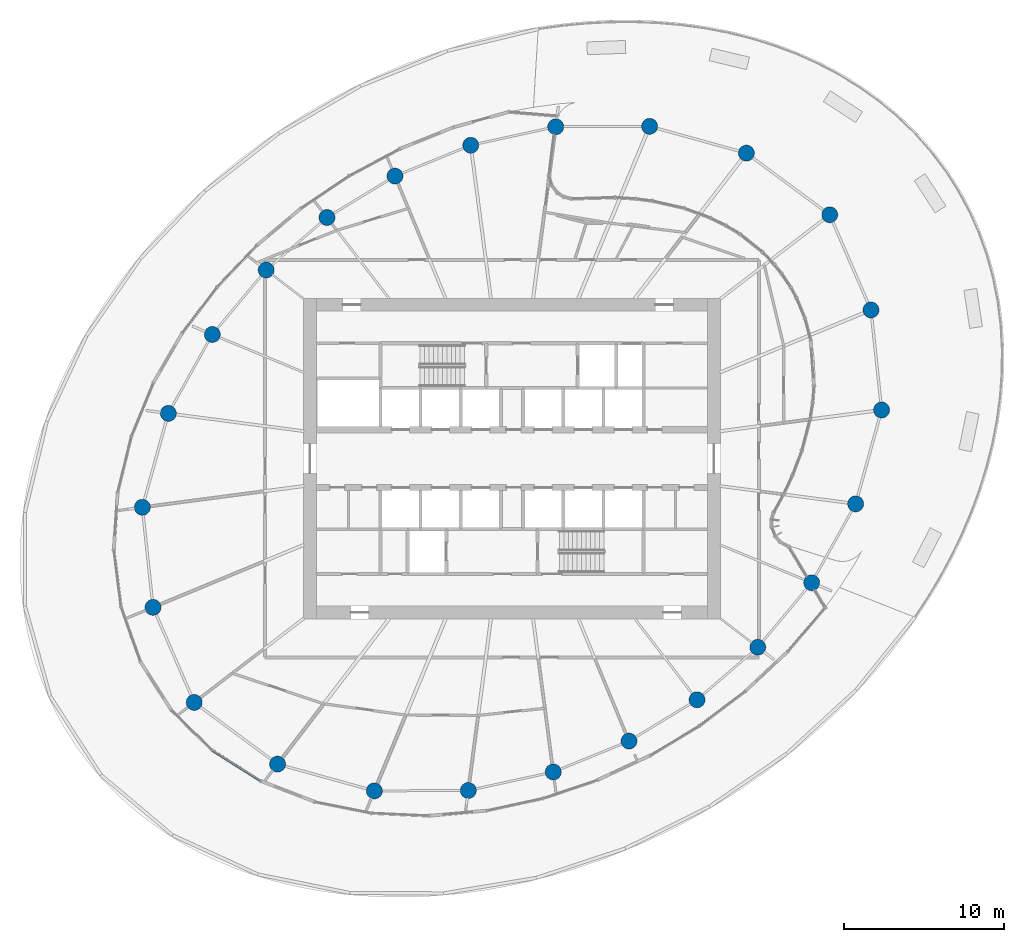
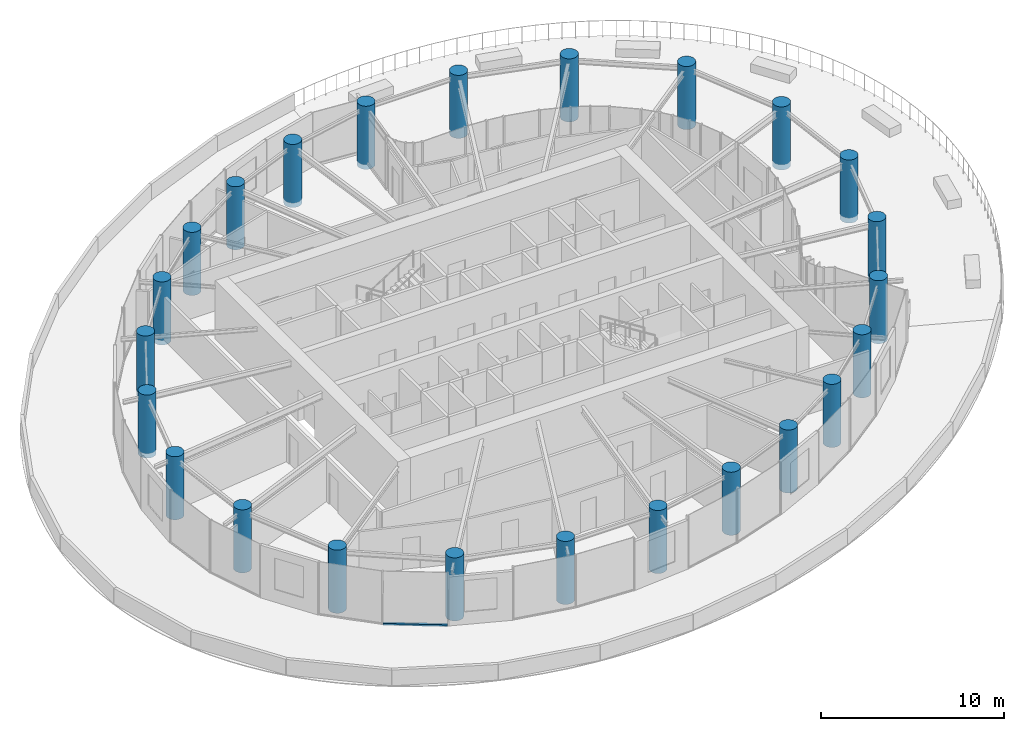
# One storey, part 1 of 21: 24 columns, 1 member, 1 element without a shape of its own.
"""IFC4 building model written with IfcOpenShell, lengths in metres."""

from ifc_helpers import new_model, si_unit, direction, frame, origin, origin_2d, place, context, subcontext, project, spatial, rectangle, circle, extrude, source, transform, mapped, material, layer, layer_set, material_profile, profile_set, type_object, element, aggregate, save


model = new_model("IFC4")

# Units and contexts
model_context = context("Model", 3, precision=1e-05, world=origin(), true_north=direction((0.0, 1.0)))
body_context = subcontext(model_context, "Body", "Model", "MODEL_VIEW")
ifc_project = project(units=[si_unit("LENGTHUNIT", "METRE"), si_unit("AREAUNIT", "SQUARE_METRE"), si_unit("VOLUMEUNIT", "CUBIC_METRE"), si_unit("PLANEANGLEUNIT", "RADIAN"), si_unit("MASSUNIT", "GRAM", prefix="KILO")], contexts=[model_context])

# Site, building, storey
site_placement = place(None, origin())
site = spatial("IfcSite", under=ifc_project, at=site_placement, CompositionType="ELEMENT")
building_placement = place(site_placement, origin())
building = spatial("IfcBuilding", under=site, at=building_placement, Name="Spindrift Exchange Tower", CompositionType="ELEMENT")
storey_placement = place(building_placement, frame((0.0, 0.0, 133.10009765625)))
storey = spatial("IfcBuildingStorey", under=building, at=storey_placement, Name="L31", CompositionType="ELEMENT", Elevation=133.10009765625)

# Columns
ifc_material_1 = material(Name="Concrete 50 MPa", Category="concrete")
ifc_material_profile_1 = material_profile(ifc_material_1, circle(Radius=0.5, at=origin_2d()), Name="RC D1000")
ifc_profile_set_1 = profile_set([ifc_material_profile_1], Name="Concrete 50 MPa")
column_type = type_object("IfcColumnType", Name="RC Perimeter Column D1000 Concrete 50 MPa", PredefinedType="COLUMN", material=ifc_profile_set_1)
shared_shape_1 = source(origin(), body_context, "Body", "SweptSolid", [
    extrude(circle(Radius=0.5, at=origin_2d()), origin(), (0.0, 0.0, 1.0), 4.219970703125),
])
for number, where, z_axis, x_axis, name in (
    (1, (75.06201171875, 51.0361328125, -0.320068359375), (0.0, 0.0, 1.0), (1.0, 0.0, 0.0), "Perimeter column P3-01 L31"),
    (2, (74.396728515625, 57.277099609375, -0.320068359375), (0.0, 0.0, 1.0), (1.0, 0.0, 0.0), "Perimeter column P3-02 L31"),
    (3, (71.825927734375, 63.212890625, -0.320068359375), (0.0, 0.0, 1.0), (1.0, 0.0, 0.0), "Perimeter column P3-03 L31"),
    (4, (66.625, 67.0595703125, -0.320068359375), (0.0, 0.0, 1.0), (1.0, 0.0, 0.0), "Perimeter column P3-04 L31"),
    (5, (60.5869140625, 68.73095703125, -0.320068359375), (0.0, 0.0, 1.0), (1.0, 0.0, 0.0), "Perimeter column P3-05 L31"),
    (6, (54.725830078125, 68.705322265625, -0.320068359375), (0.0, 0.0, 1.0), (1.0, 0.0, 0.0), "Perimeter column P3-06 L31"),
    (7, (49.426025390625, 67.55126953125, -0.320068359375), (0.0, 0.0, 1.0), (1.0, 0.0, 0.0), "Perimeter column P3-07 L31"),
    (8, (44.69921875, 65.625732421875, -0.320068359375), (0.0, 0.0, 1.0), (1.0, 0.0, 0.0), "Perimeter column P3-08 L31"),
    (9, (40.4560546875, 63.04443359375, -0.320068359375), (0.0, 0.0, 1.0), (1.0, 0.0, 0.0), "Perimeter column P3-09 L31"),
    (10, (36.663818359375, 59.76806640625, -0.320068359375), (0.0, 0.0, 1.0), (1.0, 0.0, 0.0), "Perimeter column P3-10 L31"),
    (11, (33.30078125, 55.74560546875, -0.320068359375), (0.0, 0.0, 1.0), (1.0, 0.0, 0.0), "Perimeter column P3-11 L31"),
    (12, (30.55908203125, 50.82275390625, -0.320068359375), (0.0, 0.0, 1.0), (1.0, 0.0, 0.0), "Perimeter column P3-12 L31"),
    (13, (28.93798828125, 44.9638671875, -0.320068359375), (0.0, 0.0, 1.0), (1.0, 0.0, 0.0), "Perimeter column P3-13 L31"),
    (14, (29.603271484375, 38.722900390625, -0.320068359375), (0.0, 0.0, 1.0), (1.0, 0.0, 0.0), "Perimeter column P3-14 L31"),
    (15, (32.174072265625, 32.787109375, -0.320068359375), (0.0, 0.0, 1.0), (1.0, 0.0, 0.0), "Perimeter column P3-15 L31"),
    (16, (37.375, 28.9404296875, -0.320068359375), (0.0, 0.0, 1.0), (1.0, 0.0, 0.0), "Perimeter column P3-16 L31"),
    (17, (43.4130859375, 27.26904296875, -0.320068359375), (0.0, 0.0, 1.0), (1.0, 0.0, 0.0), "Perimeter column P3-17 L31"),
    (18, (49.274169921875, 27.294677734375, -0.320068359375), (0.0, 0.0, 1.0), (1.0, 0.0, 0.0), "Perimeter column P3-18 L31"),
    (19, (54.573974609375, 28.44873046875, -0.320068359375), (0.0, 0.0, 1.0), (1.0, 0.0, 0.0), "Perimeter column P3-19 L31"),
    (20, (59.30078125, 30.374267578125, -0.320068359375), (0.0, 0.0, 1.0), (1.0, 0.0, 0.0), "Perimeter column P3-20 L31"),
    (21, (63.5439453125, 32.95556640625, -0.320068359375), (0.0, 0.0, 1.0), (1.0, 0.0, 0.0), "Perimeter column P3-21 L31"),
    (22, (67.336181640625, 36.23193359375, -0.320068359375), (0.0, 0.0, 1.0), (1.0, 0.0, 0.0), "Perimeter column P3-22 L31"),
    (23, (70.69921875, 40.25439453125, -0.320068359375), (0.0, 0.0, 1.0), (1.0, 0.0, 0.0), "Perimeter column P3-23 L31"),
    (24, (73.44091796875, 45.17724609375, -0.320068359375), (0.0, 0.0, 1.0), (1.0, 0.0, 0.0), "Perimeter column P3-24 L31"),
):
    element("IfcColumn", number, at=place(storey_placement, frame(where, z_axis=z_axis, x_axis=x_axis)), inside=storey, type_object=column_type, Name=name, PredefinedType="COLUMN", context=body_context, shape_type="MappedRepresentation", body=[
        mapped(shared_shape_1, transform((0.0, 0.0, 0.0), scale=1.0)),
    ])

# Curtain wall, member
ifc_material_2 = material(Name="Fritted laminated glass with bronze frame", Category="glass")
ifc_layer = layer(ifc_material_2, 0.179931640625)
ifc_layer_set = layer_set([ifc_layer], Name="ZONE 3 BRONZE FRITTED WALL")
curtain_wall_type = type_object("IfcCurtainWallType", Name="ZONE 3 BRONZE FRITTED WALL", PredefinedType="NOTDEFINED", material=ifc_layer_set)
curtain_wall_placement = place(storey_placement, origin())
curtain_wall = element("IfcCurtainWall", 25, at=curtain_wall_placement, inside=storey, type_object=curtain_wall_type, Name="L31 Zone 3 Bronze Fritted Wall run 3", PredefinedType="NOTDEFINED")
ifc_material_3 = material(Name="Bronze anodised aluminium", Category="aluminium")
ifc_material_profile_2 = material_profile(ifc_material_3, rectangle(XDim=0.159912109375, YDim=0.1298828125, at=origin_2d()), Name="ZONE 3 BRONZE FRITTED WALL TRANSOM 160X130")
ifc_profile_set_2 = profile_set([ifc_material_profile_2], Name="Bronze anodised aluminium")
member_type = type_object("IfcMemberType", Name="ZONE 3 BRONZE FRITTED WALL TRANSOM 160X130", PredefinedType="USERDEFINED", material=ifc_profile_set_2)
shared_shape_2 = source(origin(), body_context, "Body", "SweptSolid", [
    extrude(rectangle(XDim=0.159912109375, YDim=0.1298828125, at=origin_2d()), origin(), (0.0, 0.0, 1.0), 3.5263671875),
])
member_placement = place(storey_placement, frame((33.334228515625, 29.779296875, 0.06494140625), z_axis=(0.846180808365, -0.53289589936, 0.0), x_axis=(0.53289589936, 0.846180808365, 0.0)))
member = element("IfcMember", 26, at=member_placement, type_object=member_type, Name="L31 transom CW-3.16", ObjectType="TRANSOM", PredefinedType="USERDEFINED", context=body_context, shape_type="MappedRepresentation", body=[
    mapped(shared_shape_2, transform((0.0, 0.0, 0.0), scale=1.0)),
])
aggregate(curtain_wall, [member])

save(model, "model.ifc")
